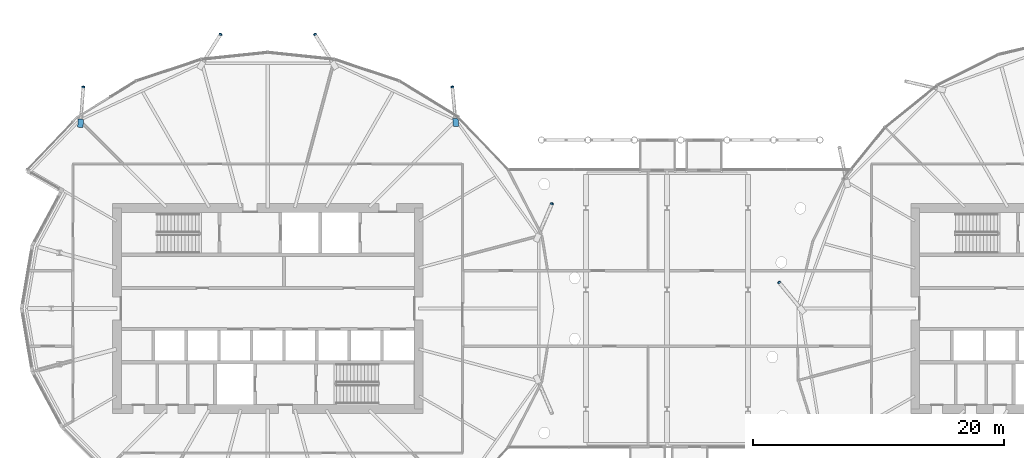
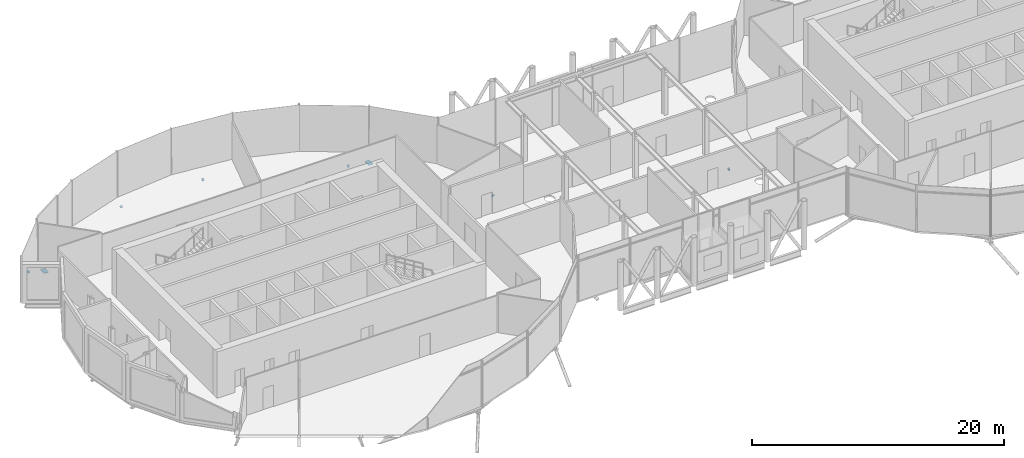
# One storey, part 31 of 36: 8 discrete accessories.
"""IFC4 building model written with IfcOpenShell, lengths in metres."""

from ifc_helpers import new_model, si_unit, direction, frame, origin, origin_2d, place, context, subcontext, project, spatial, polyline, rectangle, circle, outline, extrude, material, material_profile, profile_set, type_object, element, save


model = new_model("IFC4")

# Units and contexts
model_context = context("Model", 3, precision=1e-05, world=origin(), true_north=direction((0.0, 1.0)))
body_context = subcontext(model_context, "Body", "Model", "MODEL_VIEW")
ifc_project = project(units=[si_unit("LENGTHUNIT", "METRE"), si_unit("AREAUNIT", "SQUARE_METRE"), si_unit("VOLUMEUNIT", "CUBIC_METRE"), si_unit("PLANEANGLEUNIT", "RADIAN"), si_unit("MASSUNIT", "GRAM", prefix="KILO")], contexts=[model_context])

# Site, building, storey
site_placement = place(None, origin())
site = spatial("IfcSite", under=ifc_project, at=site_placement, CompositionType="ELEMENT")
building_placement = place(site_placement, origin())
building = spatial("IfcBuilding", under=site, at=building_placement, Name="Rimbun Link Towers", CompositionType="ELEMENT")
storey_placement = place(building_placement, frame((0.0, 0.0, 154.39990234375)))
storey = spatial("IfcBuildingStorey", under=building, at=storey_placement, Name="L37", CompositionType="ELEMENT", Elevation=154.39990234375)

# Discrete accessories
ifc_material_1 = material(Name="Steel S355J2H", Category="steel")
ifc_material_profile_1 = material_profile(ifc_material_1, circle(Radius=0.1240234375, at=origin_2d()), Name="PL D248")
ifc_profile_set_1 = profile_set([ifc_material_profile_1], Name="Steel S355J2H")
discrete_accessory_type_1 = type_object("IfcDiscreteAccessoryType", Name="Link foot sealing plate D248X20", PredefinedType="BRACKET", material=ifc_profile_set_1)
for number, where, z_axis, x_axis, name in (
    (1, (-9.15380859375, 8.328857421875, -2.644775390625), (0.328366085868, 0.778349240576, -0.535115102896), (-0.921364160958, 0.388700505404, 0.0), "Link foot sealing plate T1 L37 01"),
    (2, (-17.072265625, 17.61328125, -2.634521484375), (-0.073383858753, 0.831683732536, -0.550378940649), (-0.996129850025, -0.087893810296, 0.0), "Link foot sealing plate T1 L37 03"),
    (3, (-27.99560546875, 21.797607421875, -2.675048828125), (-0.44915350845, 0.716217756717, -0.534128496535), (-0.847190627169, -0.531289037377, 0.0), "Link foot sealing plate T1 L37 05"),
    (4, (-35.50439453125, 21.797607421875, -2.675048828125), (0.44915350845, 0.716217756717, -0.534128496535), (-0.847190627169, 0.531289037377, 0.0), "Link foot sealing plate T1 L37 07"),
    (5, (-46.4208984375, 17.61083984375, -2.63720703125), (0.073383858753, 0.831683732536, -0.550378940649), (-0.996129850025, 0.087893810296, 0.0), "Link foot sealing plate T1 L37 09"),
    (6, (8.916748046875, 2.07568359375, -2.634521484375), (-0.525996343357, 0.64832107437, -0.550461289559), (-0.776561986372, -0.630040856868, 0.0), "Link foot sealing plate T2 L37 09"),
):
    element("IfcDiscreteAccessory", number, at=place(storey_placement, frame(where, z_axis=z_axis, x_axis=x_axis)), inside=storey, type_object=discrete_accessory_type_1, Name=name, PredefinedType="BRACKET", context=body_context, shape_type="SweptSolid", body=[
        extrude(circle(Radius=0.1240234375, at=origin_2d()), origin(), (0.0, 0.0, 1.0), 0.02001953125),
    ])
ifc_material_2 = material(Name="Steel S355J2H", Category="steel")
ifc_material_profile_2 = material_profile(ifc_material_2, rectangle(XDim=0.43310546875, YDim=0.43310546875, at=origin_2d()), Name="PL 433x433")
ifc_profile_set_2 = profile_set([ifc_material_profile_2], Name="Steel S355J2H")
discrete_accessory_type_2 = type_object("IfcDiscreteAccessoryType", Name="Link head end plate 433X20", PredefinedType="BRACKET", material=ifc_profile_set_2)
discrete_accessory_1_placement = place(storey_placement, frame((0.0, 0.0, -0.73291015625)))
element("IfcDiscreteAccessory", 7, at=discrete_accessory_1_placement, inside=storey, type_object=discrete_accessory_type_2, Name="Link head end plate T1 L37 03", PredefinedType="BRACKET", context=body_context, shape_type="SweptSolid", body=[
    extrude(outline(polyline([(-16.552734375, 14.496826171875), (-16.615478515625, 15.14306640625), (-17.04638671875, 15.101318359375), (-16.983642578125, 14.455078125), (-16.552734375, 14.496826171875)])), origin(), (0.0, 0.0, 1.0), 0.02001953125),
])
discrete_accessory_2_placement = place(storey_placement, frame((0.0, 0.0, -0.73291015625)))
element("IfcDiscreteAccessory", 8, at=discrete_accessory_2_placement, inside=storey, type_object=discrete_accessory_type_2, Name="Link head end plate T1 L37 09", PredefinedType="BRACKET", context=body_context, shape_type="SweptSolid", body=[
    extrude(outline(polyline([(-46.4423828125, 14.38818359375), (-46.393798828125, 15.04248046875), (-46.82568359375, 15.074462890625), (-46.8740234375, 14.42041015625), (-46.4423828125, 14.38818359375)])), origin(), (0.0, 0.0, 1.0), 0.02001953125),
])

save(model, "model.ifc")
